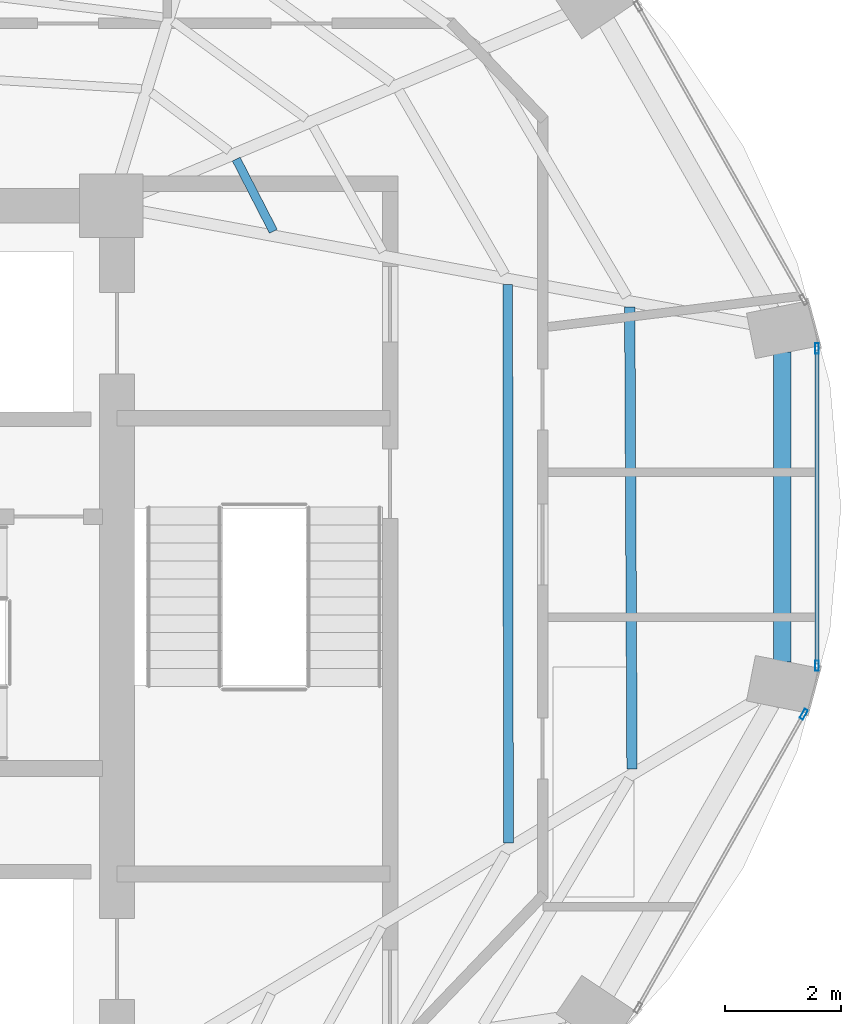
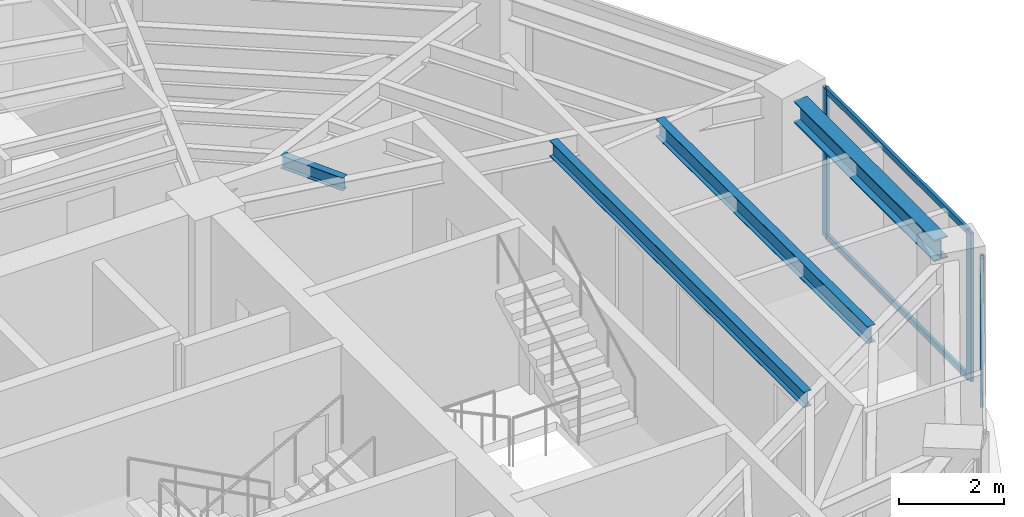
# One storey, part 13 of 22: 5 members, 4 beams, 2 elements without a shape of their own.
"""IFC4 building model written with IfcOpenShell, lengths in metres."""

from ifc_helpers import new_model, si_unit, direction, frame, origin, origin_2d, place, context, subcontext, project, spatial, hollow_rectangle, i_section, extrude, material, layer, layer_set, material_profile, profile_set, type_object, element, aggregate, save


model = new_model("IFC4")

# Units and contexts
model_context = context("Model", 3, precision=1e-05, world=origin(), true_north=direction((0.0, 1.0)))
body_context = subcontext(model_context, "Body", "Model", "MODEL_VIEW")
ifc_project = project(units=[si_unit("LENGTHUNIT", "METRE"), si_unit("AREAUNIT", "SQUARE_METRE"), si_unit("VOLUMEUNIT", "CUBIC_METRE"), si_unit("PLANEANGLEUNIT", "RADIAN"), si_unit("MASSUNIT", "GRAM", prefix="KILO")], contexts=[model_context])

# Site, building, storey
site_placement = place(None, origin())
site = spatial("IfcSite", under=ifc_project, at=site_placement, CompositionType="ELEMENT")
building_placement = place(site_placement, origin())
building = spatial("IfcBuilding", under=site, at=building_placement, Name="Lazwardi Medical Tower", CompositionType="ELEMENT")
storey_placement = place(building_placement, frame((0.0, 0.0, 224.01611328125)))
storey = spatial("IfcBuildingStorey", under=building, at=storey_placement, Name="L58", CompositionType="ELEMENT", Elevation=224.01611328125)

# Beams
ifc_material_1 = material(Name="Steel S355", Category="steel")
ifc_material_profile_1 = material_profile(ifc_material_1, i_section(OverallWidth=0.300048828125, OverallDepth=0.5, WebThickness=0.014404296875, FlangeThickness=0.028076171875, at=origin_2d()), Name="HEB 500")
ifc_profile_set_1 = profile_set([ifc_material_profile_1], Name="Steel S355")
beam_type_1 = type_object("IfcBeamType", Name="BM-RB-Z4", PredefinedType="BEAM", material=ifc_profile_set_1)
beam_1_placement = place(storey_placement, frame((57.18505859375, 27.72705078125, 3.197998046875), z_axis=(0.0, 1.0, 0.0), x_axis=(-1.0, 0.0, 0.0)))
element("IfcBeam", 1, at=beam_1_placement, inside=storey, type_object=beam_type_1, Name="Ring beam RB-05 B04 L58", PredefinedType="BEAM", context=body_context, shape_type="SweptSolid", body=[
    extrude(i_section(OverallWidth=0.300048828125, OverallDepth=0.5, WebThickness=0.014404296875, FlangeThickness=0.028076171875, at=origin_2d()), origin(), (0.0, 0.0, 1.0), 5.345947265625),
])
ifc_material_profile_2 = material_profile(ifc_material_1, i_section(OverallWidth=0.179931640625, OverallDepth=0.39990234375, WebThickness=0.008544921875, FlangeThickness=0.013427734375, at=origin_2d()), Name="IPE 400")
ifc_profile_set_2 = profile_set([ifc_material_profile_2], Name="Steel S355")
beam_type_2 = type_object("IfcBeamType", Name="BM-SJ-01", PredefinedType="JOIST", material=ifc_profile_set_2)
beam_2_placement = place(storey_placement, frame((54.592041015625, 25.879638671875, 3.247802734375), z_axis=(-0.004929366644, 0.999987850598, 0.0), x_axis=(-0.999987850598, -0.004929366644, 0.0)))
element("IfcBeam", 2, at=beam_2_placement, inside=storey, type_object=beam_type_2, Name="Secondary joist SJ-01 R1 B04 L58", PredefinedType="JOIST", context=body_context, shape_type="SweptSolid", body=[
    extrude(i_section(OverallWidth=0.179931640625, OverallDepth=0.39990234375, WebThickness=0.008544921875, FlangeThickness=0.013427734375, at=origin_2d()), origin(), (0.0, 0.0, 1.0), 7.973876953125),
])
ifc_material_profile_3 = material_profile(ifc_material_1, i_section(OverallWidth=0.169921875, OverallDepth=0.360107421875, WebThickness=0.008056640625, FlangeThickness=0.0126953125, at=origin_2d()), Name="IPE 360")
ifc_profile_set_3 = profile_set([ifc_material_profile_3], Name="Steel S355")
beam_type_3 = type_object("IfcBeamType", Name="BM-SJ-02", PredefinedType="JOIST", material=ifc_profile_set_3)
beam_3_placement = place(storey_placement, frame((52.458984375, 24.602294921875, 3.267822265625), z_axis=(-0.001367606673, 0.999999064826, 0.0), x_axis=(-0.999999064826, -0.001367606673, 0.0)))
element("IfcBeam", 3, at=beam_3_placement, inside=storey, type_object=beam_type_3, Name="Secondary joist SJ-02 R2 B04 L58", PredefinedType="JOIST", context=body_context, shape_type="SweptSolid", body=[
    extrude(i_section(OverallWidth=0.169921875, OverallDepth=0.360107421875, WebThickness=0.008056640625, FlangeThickness=0.0126953125, at=origin_2d()), origin(), (0.0, 0.0, 1.0), 9.639892578125),
])
ifc_material_profile_4 = material_profile(ifc_material_1, i_section(OverallWidth=0.14990234375, OverallDepth=0.300048828125, WebThickness=0.007080078125, FlangeThickness=0.0107421875, at=origin_2d()), Name="IPE 300")
ifc_profile_set_4 = profile_set([ifc_material_profile_4], Name="Steel S355")
beam_type_4 = type_object("IfcBeamType", Name="BM-SJ-03", PredefinedType="JOIST", material=ifc_profile_set_4)
beam_4_placement = place(storey_placement, frame((48.39990234375, 35.159912109375, 3.2978515625), z_axis=(-0.457285056668, 0.889320176848, 0.0), x_axis=(-0.889320176848, -0.457285056668, 0.0)))
element("IfcBeam", 4, at=beam_4_placement, inside=storey, type_object=beam_type_4, Name="Secondary joist SJ-03 R4 B05 L58", PredefinedType="JOIST", context=body_context, shape_type="SweptSolid", body=[
    extrude(i_section(OverallWidth=0.14990234375, OverallDepth=0.300048828125, WebThickness=0.007080078125, FlangeThickness=0.0107421875, at=origin_2d()), origin(), (0.0, 0.0, 1.0), 1.402099609375),
])

# Curtain wall, member
ifc_material_2 = material(Name="Anodised bronze aluminium and solar control glazing", Category="aluminium")
ifc_layer = layer(ifc_material_2, 0.18994140625)
ifc_layer_set = layer_set([ifc_layer], Name="Anodised bronze aluminium and solar control glazing")
curtain_wall_type = type_object("IfcCurtainWallType", Name="CW-SYS-04", PredefinedType="NOTDEFINED", material=ifc_layer_set)
curtain_wall_1_placement = place(storey_placement, origin())
curtain_wall_1 = element("IfcCurtainWall", 5, at=curtain_wall_1_placement, inside=storey, type_object=curtain_wall_type, Name="L58 Unitised bronze curtain wall CW-04", PredefinedType="NOTDEFINED")
ifc_material_3 = material(Name="Anodised bronze aluminium", Category="aluminium")
ifc_material_profile_5 = material_profile(ifc_material_3, hollow_rectangle(XDim=0.06494140625, YDim=0.179931640625, WallThickness=0.00390625, at=origin_2d()), Name="ALU-MULLION 180x65x4")
ifc_profile_set_5 = profile_set([ifc_material_profile_5], Name="Anodised bronze aluminium")
member_type_1 = type_object("IfcMemberType", Name="CW-MUL-03", PredefinedType="MULLION", material=ifc_profile_set_5)
member_1_placement = place(storey_placement, frame((57.557373046875, 26.82177734375, 0.0), z_axis=(0.0, 0.0, 1.0), x_axis=(-0.870651436011, 0.491900474661, 0.0)))
member_1 = element("IfcMember", 6, at=member_1_placement, type_object=member_type_1, Name="CW-04 mullion 2", PredefinedType="MULLION", context=body_context, shape_type="SweptSolid", body=[
    extrude(hollow_rectangle(XDim=0.06494140625, YDim=0.179931640625, WallThickness=0.00390625, at=origin_2d()), origin(), (0.0, 0.0, 1.0), 3.447998046875),
])
aggregate(curtain_wall_1, [member_1])

# Curtain wall, members
curtain_wall_2_placement = place(storey_placement, origin())
curtain_wall_2 = element("IfcCurtainWall", 7, at=curtain_wall_2_placement, inside=storey, type_object=curtain_wall_type, Name="L58 Unitised bronze curtain wall CW-04", PredefinedType="NOTDEFINED")
member_2_placement = place(storey_placement, frame((57.7841796875, 27.659423828125, 0.0), z_axis=(0.0, 0.0, 1.0), x_axis=(-1.0, 0.0, 0.0)))
member_2 = element("IfcMember", 8, at=member_2_placement, type_object=member_type_1, Name="CW-04 mullion 1", PredefinedType="MULLION", context=body_context, shape_type="SweptSolid", body=[
    extrude(hollow_rectangle(XDim=0.06494140625, YDim=0.179931640625, WallThickness=0.00390625, at=origin_2d()), origin(), (0.0, 0.0, 1.0), 3.447998046875),
])
member_3_placement = place(storey_placement, frame((57.7841796875, 33.140380859375, 0.0), z_axis=(0.0, 0.0, 1.0), x_axis=(-1.0, 0.0, 0.0)))
member_3 = element("IfcMember", 9, at=member_3_placement, type_object=member_type_1, Name="CW-04 mullion 2", PredefinedType="MULLION", context=body_context, shape_type="SweptSolid", body=[
    extrude(hollow_rectangle(XDim=0.06494140625, YDim=0.179931640625, WallThickness=0.00390625, at=origin_2d()), origin(), (0.0, 0.0, 1.0), 3.447998046875),
])
ifc_material_profile_6 = material_profile(ifc_material_3, hollow_rectangle(XDim=0.06494140625, YDim=0.139892578125, WallThickness=0.00341796875, at=origin_2d()), Name="ALU-TRANSOM 140x65x3.5")
ifc_profile_set_6 = profile_set([ifc_material_profile_6], Name="Anodised bronze aluminium")
member_type_2 = type_object("IfcMemberType", Name="CW-TRN-03", PredefinedType="USERDEFINED", material=ifc_profile_set_6)
member_4_placement = place(storey_placement, frame((57.7841796875, 27.69189453125, 0.032470703125), z_axis=(0.0, 1.0, 0.0), x_axis=(-1.0, 0.0, 0.0)))
member_4 = element("IfcMember", 10, at=member_4_placement, type_object=member_type_2, Name="CW-04 transom 1.1", ObjectType="TRANSOM", PredefinedType="USERDEFINED", context=body_context, shape_type="SweptSolid", body=[
    extrude(hollow_rectangle(XDim=0.06494140625, YDim=0.139892578125, WallThickness=0.00341796875, at=origin_2d()), origin(), (0.0, 0.0, 1.0), 5.416015625),
])
member_5_placement = place(storey_placement, frame((57.7841796875, 27.69189453125, 3.415283203125), z_axis=(0.0, 1.0, 0.0), x_axis=(-1.0, 0.0, 0.0)))
member_5 = element("IfcMember", 11, at=member_5_placement, type_object=member_type_2, Name="CW-04 transom 1.2", ObjectType="TRANSOM", PredefinedType="USERDEFINED", context=body_context, shape_type="SweptSolid", body=[
    extrude(hollow_rectangle(XDim=0.06494140625, YDim=0.139892578125, WallThickness=0.00341796875, at=origin_2d()), origin(), (0.0, 0.0, 1.0), 5.416015625),
])
aggregate(curtain_wall_2, [member_2, member_3, member_4, member_5])

save(model, "model.ifc")
